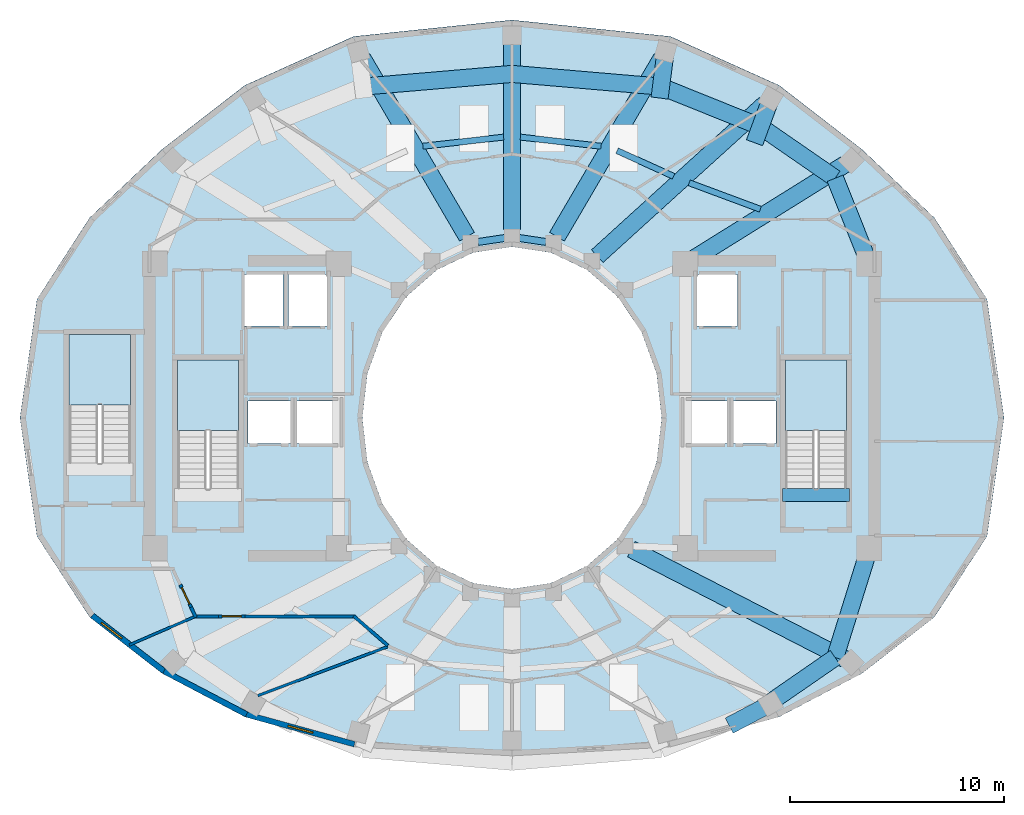
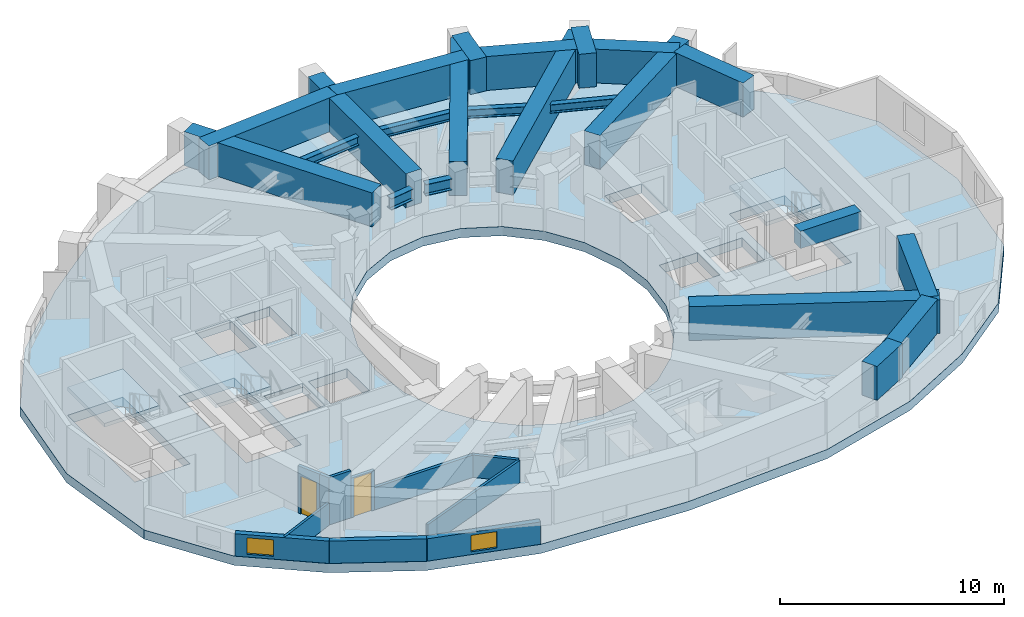
# One storey, part 2 of 9: 23 beams, 11 walls, 4 slabs, 2 doors, 2 windows, 4 openings, 3 elements without a shape of their own.
"""IFC4 building model written with IfcOpenShell, lengths in metres."""

from ifc_helpers import new_model, si_unit, direction, frame, frame_2d, origin, origin_2d, place, context, subcontext, project, spatial, polyline, rectangle, i_section, outline, extrude, material, layer, layer_set, material_profile, profile_set, type_object, element, fill, aggregate, save


model = new_model("IFC4")

# Units and contexts
model_context = context("Model", 3, precision=1e-05, world=origin(), true_north=direction((0.0, 1.0)))
body_context = subcontext(model_context, "Body", "Model", "MODEL_VIEW")
ifc_project = project(units=[si_unit("LENGTHUNIT", "METRE"), si_unit("AREAUNIT", "SQUARE_METRE"), si_unit("VOLUMEUNIT", "CUBIC_METRE"), si_unit("PLANEANGLEUNIT", "RADIAN"), si_unit("MASSUNIT", "GRAM", prefix="KILO")], contexts=[model_context])

# Site, building, storey
site_placement = place(None, origin())
site = spatial("IfcSite", under=ifc_project, at=site_placement, CompositionType="ELEMENT")
building_placement = place(site_placement, origin())
building = spatial("IfcBuilding", under=site, at=building_placement, Name="Solvane Sanctuary Tower", CompositionType="ELEMENT")
storey_placement = place(building_placement, frame((0.0, 0.0, 190.10009765625)))
storey = spatial("IfcBuildingStorey", under=building, at=storey_placement, Name="L58", CompositionType="ELEMENT", Elevation=190.10009765625)

# Beams
ifc_material_1 = material(Name="Concrete C70/85", Category="concrete")
ifc_material_profile_1 = material_profile(ifc_material_1, rectangle(XDim=0.60009765625, YDim=0.949951171875, at=origin_2d()), Name="RC600X950")
ifc_profile_set_1 = profile_set([ifc_material_profile_1], Name="Concrete C70/85")
beam_type_1 = type_object("IfcBeamType", Name="Beam B-COUPLE RC600X950", PredefinedType="LINTEL", material=ifc_profile_set_1)
beam_1_placement = place(storey_placement, frame((44.64990234375, 19.399169921875, 2.625), z_axis=(1.0, 0.0, 0.0), x_axis=(0.0, 1.0, 0.0)))
element("IfcBeam", 1, at=beam_1_placement, inside=storey, type_object=beam_type_1, Name="L58 ST-2 Stair Floor Landing Trimmer", PredefinedType="LINTEL", context=body_context, shape_type="SweptSolid", body=[
    extrude(rectangle(XDim=0.60009765625, YDim=0.949951171875, at=origin_2d()), origin(), (0.0, 0.0, 1.0), 3.1201171875),
])
ifc_material_2 = material(Name="Steel ASTM A992 Grade 50", Category="steel")
ifc_material_profile_2 = material_profile(ifc_material_2, i_section(OverallWidth=0.324951171875, OverallDepth=0.615966796875, WebThickness=0.013916015625, FlangeThickness=0.021484375, FilletRadius=0.01611328125, at=origin_2d()), Name="W24X117")
ifc_profile_set_2 = profile_set([ifc_material_profile_2], Name="Steel ASTM A992 Grade 50")
beam_type_2 = type_object("IfcBeamType", Name="Beam B-RING-IN2 W24X117", PredefinedType="BEAM", material=ifc_profile_set_2)
for number, where, z_axis, x_axis, name in (
    (2, (30.410400390625, 31.22265625, 2.289794921875), (0.989019905763, 0.147782360259, 0.0), (-0.147782360259, 0.989019905763, 0.0), "L58 Inner Light-Well Ring Beam IC05-IC04"),
    (3, (32.34130859375, 31.4091796875, 2.289794921875), (0.989019905763, -0.147782360259, 0.0), (0.147782360259, 0.989019905763, 0.0), "L58 Inner Light-Well Ring Beam IC04-IC03"),
):
    element("IfcBeam", number, at=place(storey_placement, frame(where, z_axis=z_axis, x_axis=x_axis)), inside=storey, type_object=beam_type_2, Name=name, PredefinedType="BEAM", context=body_context, shape_type="SweptSolid", body=[
        extrude(i_section(OverallWidth=0.324951171875, OverallDepth=0.615966796875, WebThickness=0.013916015625, FlangeThickness=0.021484375, FilletRadius=0.01611328125, at=origin_2d()), origin(), (0.0, 0.0, 1.0), 1.26220703125),
    ])
ifc_material_profile_3 = material_profile(ifc_material_2, i_section(OverallWidth=0.280029296875, OverallDepth=0.462890625, WebThickness=0.0107421875, FlangeThickness=0.017333984375, FilletRadius=0.013916015625, at=origin_2d()), Name="W18X76")
ifc_profile_set_3 = profile_set([ifc_material_profile_3], Name="Steel ASTM A992 Grade 50")
beam_type_3 = type_object("IfcBeamType", Name="Beam B-SEC-JOIST W18X76", PredefinedType="JOIST", material=ifc_profile_set_3)
for number, where, z_axis, x_axis, name in (
    (4, (27.837890625, 35.697509765625, 2.366455078125), (0.99361640759, 0.112811500162, 0.0), (-0.112811500162, 0.99361640759, 0.0), "L58 Secondary Circumferential Joist 05-04"),
    (5, (32.392578125, 36.12548828125, 2.366455078125), (0.99361640759, -0.112811500162, 0.0), (0.112811500162, 0.99361640759, 0.0), "L58 Secondary Circumferential Joist 04-03"),
):
    element("IfcBeam", number, at=place(storey_placement, frame(where, z_axis=z_axis, x_axis=x_axis)), inside=storey, type_object=beam_type_3, Name=name, PredefinedType="JOIST", context=body_context, shape_type="SweptSolid", body=[
        extrude(i_section(OverallWidth=0.280029296875, OverallDepth=0.462890625, WebThickness=0.0107421875, FlangeThickness=0.017333984375, FilletRadius=0.013916015625, at=origin_2d()), origin(), (0.0, 0.0, 1.0), 3.793701171875),
    ])
beam_2_placement = place(storey_placement, frame((36.9140625, 35.48974609375, 2.366455078125), z_axis=(0.910490411703, -0.413530180516, 0.0), x_axis=(0.413530180516, 0.910490411703, 0.0)))
element("IfcBeam", 6, at=beam_2_placement, inside=storey, type_object=beam_type_3, Name="L58 Secondary Circumferential Joist 03-02", PredefinedType="JOIST", context=body_context, shape_type="SweptSolid", body=[
    extrude(i_section(OverallWidth=0.280029296875, OverallDepth=0.462890625, WebThickness=0.0107421875, FlangeThickness=0.017333984375, FilletRadius=0.013916015625, at=origin_2d()), origin(), (0.0, 0.0, 1.0), 2.89990234375),
])
beam_3_placement = place(storey_placement, frame((40.2841796875, 33.989501953125, 2.366455078125), z_axis=(0.93726788939, -0.348609959006, 0.0), x_axis=(0.348609959006, 0.93726788939, 0.0)))
element("IfcBeam", 7, at=beam_3_placement, inside=storey, type_object=beam_type_3, Name="L58 Secondary Circumferential Joist 02-01", PredefinedType="JOIST", context=body_context, shape_type="SweptSolid", body=[
    extrude(i_section(OverallWidth=0.280029296875, OverallDepth=0.462890625, WebThickness=0.0107421875, FlangeThickness=0.017333984375, FilletRadius=0.013916015625, at=origin_2d()), origin(), (0.0, 0.0, 1.0), 3.54638671875),
])
ifc_material_profile_4 = material_profile(ifc_material_1, rectangle(XDim=0.800048828125, YDim=1.85009765625, at=origin_2d()), Name="RC800X1850")
ifc_profile_set_4 = profile_set([ifc_material_profile_4], Name="Concrete C70/85")
beam_type_4 = type_object("IfcBeamType", Name="Beam B-XFER-BLK RC800X1850", PredefinedType="BEAM", material=ifc_profile_set_4)
beam_4_placement = place(storey_placement, frame((40.405517578125, 30.390380859375, 2.1748046875), z_axis=(0.848822035813, 0.528678684569, 0.0), x_axis=(-0.528678684569, 0.848822035813, 0.0)))
element("IfcBeam", 8, at=beam_4_placement, inside=storey, type_object=beam_type_4, Name="L58 Block-Shift Radial Transfer Girder 01A", PredefinedType="BEAM", context=body_context, shape_type="SweptSolid", body=[
    extrude(rectangle(XDim=0.800048828125, YDim=1.85009765625, at=origin_2d()), origin(), (0.0, 0.0, 1.0), 8.447998046875),
])
beam_5_placement = place(storey_placement, frame((35.9853515625, 30.55859375, 2.1748046875), z_axis=(0.740204975918, 0.672381285898, 0.0), x_axis=(-0.672381285898, 0.740204975918, 0.0)))
element("IfcBeam", 9, at=beam_5_placement, inside=storey, type_object=beam_type_4, Name="L58 Block-Shift Radial Transfer Girder 02A", PredefinedType="BEAM", context=body_context, shape_type="SweptSolid", body=[
    extrude(rectangle(XDim=0.800048828125, YDim=1.85009765625, at=origin_2d()), origin(), (0.0, 0.0, 1.0), 10.590087890625),
])
beam_6_placement = place(storey_placement, frame((44.080810546875, 37.881103515625, 2.1748046875), z_axis=(-0.345779030894, -0.938315971192, 0.0), x_axis=(0.938315971192, -0.345779030894, 0.0)))
element("IfcBeam", 10, at=beam_6_placement, inside=storey, type_object=beam_type_4, Name="L58 Block-Shift Transfer Tie 02B", PredefinedType="BEAM", context=body_context, shape_type="SweptSolid", body=[
    extrude(rectangle(XDim=0.800048828125, YDim=1.85009765625, at=origin_2d()), origin(), (0.0, 0.0, 1.0), 2.14990234375),
])
beam_7_placement = place(storey_placement, frame((34.10498046875, 31.469482421875, 2.1748046875), z_axis=(0.50527045732, 0.862961044868, 0.0), x_axis=(-0.862961044868, 0.50527045732, 0.0)))
element("IfcBeam", 11, at=beam_7_placement, inside=storey, type_object=beam_type_4, Name="L58 Block-Shift Radial Transfer Girder 03A", PredefinedType="BEAM", context=body_context, shape_type="SweptSolid", body=[
    extrude(rectangle(XDim=0.800048828125, YDim=1.85009765625, at=origin_2d()), origin(), (0.0, 0.0, 1.0), 9.6708984375),
])
beam_8_placement = place(storey_placement, frame((39.172119140625, 40.0849609375, 2.1748046875), z_axis=(-0.12695519745, -0.991908452349, 0.0), x_axis=(0.991908452349, -0.12695519745, 0.0)))
element("IfcBeam", 12, at=beam_8_placement, inside=storey, type_object=beam_type_4, Name="L58 Block-Shift Transfer Tie 03B", PredefinedType="BEAM", context=body_context, shape_type="SweptSolid", body=[
    extrude(rectangle(XDim=0.800048828125, YDim=1.85009765625, at=origin_2d()), origin(), (0.0, 0.0, 1.0), 2.14990234375),
])
beam_9_placement = place(storey_placement, frame((32.0, 31.804931640625, 2.1748046875), z_axis=(0.0, 1.0, 0.0), x_axis=(-1.0, 0.0, 0.0)))
element("IfcBeam", 13, at=beam_9_placement, inside=storey, type_object=beam_type_4, Name="L58 Block-Shift Radial Transfer Girder 04A", PredefinedType="BEAM", context=body_context, shape_type="SweptSolid", body=[
    extrude(rectangle(XDim=0.800048828125, YDim=1.85009765625, at=origin_2d()), origin(), (0.0, 0.0, 1.0), 8.7451171875),
])
beam_10_placement = place(storey_placement, frame((29.89501953125, 31.469482421875, 2.1748046875), z_axis=(-0.50527045732, 0.862961044868, 0.0), x_axis=(-0.862961044868, -0.50527045732, 0.0)))
element("IfcBeam", 14, at=beam_10_placement, inside=storey, type_object=beam_type_4, Name="L58 Block-Shift Radial Transfer Girder 05A", PredefinedType="BEAM", context=body_context, shape_type="SweptSolid", body=[
    extrude(rectangle(XDim=0.800048828125, YDim=1.85009765625, at=origin_2d()), origin(), (0.0, 0.0, 1.0), 9.6708984375),
])
beam_11_placement = place(storey_placement, frame((44.053955078125, 9.6171875, 2.1748046875), z_axis=(-0.884044668488, -0.467402422029, 0.0), x_axis=(0.467402422029, -0.884044668488, 0.0)))
element("IfcBeam", 15, at=beam_11_placement, inside=storey, type_object=beam_type_4, Name="L58 Block-Shift Transfer Tie 13B", PredefinedType="BEAM", context=body_context, shape_type="SweptSolid", body=[
    extrude(rectangle(XDim=0.800048828125, YDim=1.85009765625, at=origin_2d()), origin(), (0.0, 0.0, 1.0), 2.14990234375),
])
beam_12_placement = place(storey_placement, frame((37.581787109375, 16.860107421875, 2.1748046875), z_axis=(0.889208681865, -0.457501825238, 0.0), x_axis=(0.457501825238, 0.889208681865, 0.0)))
element("IfcBeam", 16, at=beam_12_placement, inside=storey, type_object=beam_type_4, Name="L58 Block-Shift Radial Transfer Girder 14A", PredefinedType="BEAM", context=body_context, shape_type="SweptSolid", body=[
    extrude(rectangle(XDim=0.800048828125, YDim=1.85009765625, at=origin_2d()), origin(), (0.0, 0.0, 1.0), 11.22509765625),
])
for number, where, z_axis, x_axis, name in (
    (17, (25.03271484375, 38.4853515625, 2.1748046875), (0.996376634942, 0.085050581075, 0.0), (-0.085050581075, 0.996376634942, 0.0), "L58 Perimeter Step Transfer Ring NTC05-NTC04"),
    (18, (32.0, 39.080078125, 2.1748046875), (0.996376634942, -0.085050581075, 0.0), (0.085050581075, 0.996376634942, 0.0), "L58 Perimeter Step Transfer Ring NTC04-NTC03"),
):
    element("IfcBeam", number, at=place(storey_placement, frame(where, z_axis=z_axis, x_axis=x_axis)), inside=storey, type_object=beam_type_4, Name=name, PredefinedType="BEAM", context=body_context, shape_type="SweptSolid", body=[
        extrude(rectangle(XDim=0.800048828125, YDim=1.85009765625, at=origin_2d()), origin(), (0.0, 0.0, 1.0), 6.99267578125),
    ])
beam_13_placement = place(storey_placement, frame((38.96728515625, 38.4853515625, 2.1748046875), z_axis=(0.927677941797, -0.373381355055, 0.0), x_axis=(0.373381355055, 0.927677941797, 0.0)))
element("IfcBeam", 19, at=beam_13_placement, inside=storey, type_object=beam_type_4, Name="L58 Perimeter Step Transfer Ring NTC03-NTC02", PredefinedType="BEAM", context=body_context, shape_type="SweptSolid", body=[
    extrude(rectangle(XDim=0.800048828125, YDim=1.85009765625, at=origin_2d()), origin(), (0.0, 0.0, 1.0), 5.00927734375),
])
beam_14_placement = place(storey_placement, frame((43.6142578125, 36.614990234375, 2.1748046875), z_axis=(0.822701468639, -0.568473652423, 0.0), x_axis=(0.568473652423, 0.822701468639, 0.0)))
element("IfcBeam", 20, at=beam_14_placement, inside=storey, type_object=beam_type_4, Name="L58 Perimeter Step Transfer Ring NTC02-NTC01", PredefinedType="BEAM", context=body_context, shape_type="SweptSolid", body=[
    extrude(rectangle(XDim=0.800048828125, YDim=1.85009765625, at=origin_2d()), origin(), (0.0, 0.0, 1.0), 4.24267578125),
])
beam_15_placement = place(storey_placement, frame((47.104736328125, 34.203125, 2.1748046875), z_axis=(0.370175285005, -0.928961925146, 0.0), x_axis=(0.928961925146, 0.370175285005, 0.0)))
element("IfcBeam", 21, at=beam_15_placement, inside=storey, type_object=beam_type_4, Name="L58 Perimeter Step Transfer Ring NTC01-CE3", PredefinedType="BEAM", context=body_context, shape_type="SweptSolid", body=[
    extrude(rectangle(XDim=0.800048828125, YDim=1.85009765625, at=origin_2d()), origin(), (0.0, 0.0, 1.0), 3.94921875),
])
beam_16_placement = place(storey_placement, frame((43.6142578125, 9.385009765625, 2.1748046875), z_axis=(0.822701468639, 0.568473652423, 0.0), x_axis=(-0.568473652423, 0.822701468639, 0.0)))
element("IfcBeam", 22, at=beam_16_placement, inside=storey, type_object=beam_type_4, Name="L58 Perimeter Step Transfer Ring NTC13-NTC14", PredefinedType="BEAM", context=body_context, shape_type="SweptSolid", body=[
    extrude(rectangle(XDim=0.800048828125, YDim=1.85009765625, at=origin_2d()), origin(), (0.0, 0.0, 1.0), 4.24267578125),
])
beam_17_placement = place(storey_placement, frame((47.104736328125, 11.796875, 2.1748046875), z_axis=(0.298355835313, 0.954454711097, 0.0), x_axis=(-0.954454711097, 0.298355835313, 0.0)))
element("IfcBeam", 23, at=beam_17_placement, inside=storey, type_object=beam_type_4, Name="L58 Perimeter Step Transfer Ring NTC14-CE2", PredefinedType="BEAM", context=body_context, shape_type="SweptSolid", body=[
    extrude(rectangle(XDim=0.800048828125, YDim=1.85009765625, at=origin_2d()), origin(), (0.0, 0.0, 1.0), 4.986572265625),
])

# Stair, slab
ifc_material_3 = material(Name="Concrete C45/55", Category="concrete")
stair_type = type_object("IfcStairType", Name="Stair ST-TOW", PredefinedType="HALF_TURN_STAIR", material=ifc_material_3)
stair_1_placement = place(storey_placement, origin())
stair_1 = element("IfcStair", 24, at=stair_1_placement, inside=storey, type_object=stair_type, Name="L58 Exit Stair ST-1 West Core", PredefinedType="HALF_TURN_STAIR")
ifc_layer_1 = layer(ifc_material_3, 0.199951171875, Name="Concrete C45/55")
ifc_layer_set_1 = layer_set([ifc_layer_1], Name="Concrete C45/55")
slab_type_1 = type_object("IfcSlabType", Name="Slab SL-LAND-180", PredefinedType="LANDING", material=ifc_layer_set_1)
slab_1_placement = place(storey_placement, frame((0.0, 0.0, 1.349853515625)))
slab_1 = element("IfcSlab", 25, at=slab_1_placement, type_object=slab_type_1, Name="ST-1 landing 1", PredefinedType="LANDING", context=body_context, shape_type="SweptSolid", body=[
    extrude(outline(polyline([(19.219970703125, 22.39990234375), (19.219970703125, 25.699951171875), (16.360107421875, 25.699951171875), (16.360107421875, 22.39990234375), (19.219970703125, 22.39990234375)])), origin(), (0.0, 0.0, 1.0), 0.199951171875),
])
aggregate(stair_1, [slab_1])

stair_2_placement = place(storey_placement, origin())
stair_2 = element("IfcStair", 26, at=stair_2_placement, inside=storey, type_object=stair_type, Name="L58 Exit Stair ST-2 East Core", PredefinedType="HALF_TURN_STAIR")
slab_2_placement = place(storey_placement, frame((0.0, 0.0, 1.349853515625)))
slab_2 = element("IfcSlab", 27, at=slab_2_placement, type_object=slab_type_1, Name="ST-2 landing 1", PredefinedType="LANDING", context=body_context, shape_type="SweptSolid", body=[
    extrude(outline(polyline([(47.639892578125, 22.39990234375), (47.639892578125, 25.699951171875), (44.780029296875, 25.699951171875), (44.780029296875, 22.39990234375), (47.639892578125, 22.39990234375)])), origin(), (0.0, 0.0, 1.0), 0.199951171875),
])
aggregate(stair_2, [slab_2])

stair_3_placement = place(storey_placement, origin())
stair_3 = element("IfcStair", 28, at=stair_3_placement, inside=storey, type_object=stair_type, Name="L58 Exit Stair ST-3 Pilgrim Tower Stair", PredefinedType="HALF_TURN_STAIR")
slab_3_placement = place(storey_placement, frame((0.0, 0.0, 1.349853515625)))
slab_3 = element("IfcSlab", 29, at=slab_3_placement, type_object=slab_type_1, Name="ST-3 landing 1", PredefinedType="LANDING", context=body_context, shape_type="SweptSolid", body=[
    extrude(outline(polyline([(14.159912109375, 23.60009765625), (14.159912109375, 26.89990234375), (11.300048828125, 26.89990234375), (11.300048828125, 23.60009765625), (14.159912109375, 23.60009765625)])), origin(), (0.0, 0.0, 1.0), 0.199951171875),
])
aggregate(stair_3, [slab_3])

# Slab
ifc_material_4 = material(Name="Concrete C60/75", Category="concrete")
ifc_layer_2 = layer(ifc_material_4, 0.5, Name="Concrete C60/75")
ifc_layer_set_2 = layer_set([ifc_layer_2], Name="Concrete C60/75")
slab_type_2 = type_object("IfcSlabType", Name="Slab SL-XFER-500", PredefinedType="FLOOR", material=ifc_layer_set_2)
slab_4_placement = place(storey_placement, frame((0.0, 0.0, -0.5)))
element("IfcSlab", 30, at=slab_4_placement, inside=storey, type_object=slab_type_2, Name="L58 Primary Structural Slab", PredefinedType="FLOOR", context=body_context, shape_type="SweptSolid", body=[
    extrude(outline(polyline([(55.0, 23.0), (54.205322265625, 28.54150390625), (51.7392578125, 32.360107421875), (48.368896484375, 35.54345703125), (44.489013671875, 38.5458984375), (39.410400390625, 40.82958984375), (32.0, 41.60009765625), (24.589599609375, 40.82958984375), (19.510986328125, 38.5458984375), (15.631103515625, 35.54345703125), (12.2607421875, 32.360107421875), (9.794677734375, 28.54150390625), (9.0, 23.0), (9.794677734375, 17.45849609375), (12.2607421875, 13.6806640625), (15.631103515625, 11.061279296875), (19.510986328125, 9.022705078125), (24.589599609375, 7.6181640625), (32.0, 7.199951171875), (39.410400390625, 7.6181640625), (44.489013671875, 9.022705078125), (48.368896484375, 11.061279296875), (51.7392578125, 13.6806640625), (54.205322265625, 17.45849609375), (55.0, 23.0)]), holes=[polyline([(38.761474609375, 20.929443359375), (38.062255859375, 19.0), (36.94970703125, 17.343017578125), (35.5, 16.07177734375), (33.811767578125, 15.272705078125), (32.0, 15.0), (30.188232421875, 15.272705078125), (28.5, 16.07177734375), (27.05029296875, 17.343017578125), (25.937744140625, 19.0), (25.238525390625, 20.929443359375), (25.0, 23.0), (25.238525390625, 25.070556640625), (25.937744140625, 27.0), (27.05029296875, 28.656982421875), (28.5, 29.92822265625), (30.188232421875, 30.727294921875), (32.0, 31.0), (33.811767578125, 30.727294921875), (35.5, 29.92822265625), (36.94970703125, 28.656982421875), (38.062255859375, 27.0), (38.761474609375, 25.070556640625), (39.0, 23.0), (38.761474609375, 20.929443359375)]), polyline([(16.360107421875, 19.699951171875), (16.360107421875, 25.699951171875), (19.219970703125, 25.699951171875), (19.219970703125, 19.699951171875), (16.360107421875, 19.699951171875)]), polyline([(44.780029296875, 19.699951171875), (44.780029296875, 25.699951171875), (47.639892578125, 25.699951171875), (47.639892578125, 19.699951171875), (44.780029296875, 19.699951171875)]), polyline([(11.300048828125, 20.89990234375), (11.300048828125, 26.89990234375), (14.159912109375, 26.89990234375), (14.159912109375, 20.89990234375), (11.300048828125, 20.89990234375)]), polyline([(19.64990234375, 23.800048828125), (21.64990234375, 23.800048828125), (21.64990234375, 21.800048828125), (19.64990234375, 21.800048828125), (19.64990234375, 23.800048828125)]), polyline([(42.35009765625, 23.800048828125), (44.35009765625, 23.800048828125), (44.35009765625, 21.800048828125), (42.35009765625, 21.800048828125), (42.35009765625, 23.800048828125)]), polyline([(21.949951171875, 23.800048828125), (23.949951171875, 23.800048828125), (23.949951171875, 21.800048828125), (21.949951171875, 21.800048828125), (21.949951171875, 23.800048828125)]), polyline([(40.050048828125, 23.800048828125), (42.050048828125, 23.800048828125), (42.050048828125, 21.800048828125), (40.050048828125, 21.800048828125), (40.050048828125, 23.800048828125)]), polyline([(19.5, 29.699951171875), (21.300048828125, 29.699951171875), (21.300048828125, 27.300048828125), (19.5, 27.300048828125), (19.5, 29.699951171875)]), polyline([(21.550048828125, 29.699951171875), (23.35009765625, 29.699951171875), (23.35009765625, 27.300048828125), (21.550048828125, 27.300048828125), (21.550048828125, 29.699951171875)]), polyline([(40.64990234375, 29.699951171875), (42.550048828125, 29.699951171875), (42.550048828125, 27.300048828125), (40.64990234375, 27.300048828125), (40.64990234375, 29.699951171875)])]), origin(), (0.0, 0.0, 1.0), 0.5),
])

# Walls
ifc_material_5 = material(Name="Acoustic Gypsum Partition Board")
ifc_layer_3 = layer(ifc_material_5, 0.14990234375, Name="Acoustic Gypsum Partition Board")
ifc_layer_set_3 = layer_set([ifc_layer_3], Name="Acoustic Gypsum Partition Board")
wall_type_1 = type_object("IfcWallType", Name="Wall W-CORR-150", PredefinedType="PARTITIONING", material=ifc_layer_set_3)
wall_1_placement = place(storey_placement, frame((26.193359375, 12.35791015625, 0.0), z_axis=(0.0, 0.0, 1.0), x_axis=(-0.756055312247, 0.654507727092, 0.0)))
element("IfcWall", 31, at=wall_1_placement, inside=storey, type_object=wall_type_1, Name="L58 SW Corner Throat Wall", PredefinedType="PARTITIONING", context=body_context, shape_type="SweptSolid", body=[
    extrude(rectangle(XDim=2.11083984375, YDim=0.14990234375, at=frame_2d((1.055419921875, 0.0))), origin(), (0.0, 0.0, 1.0), 1.219970703125),
])
wall_2_placement = place(storey_placement, frame((17.14990234375, 13.719970703125, 0.0), z_axis=(0.0, 0.0, 1.0), x_axis=(1.0, 0.0, 0.0)))
element("IfcWall", 32, at=wall_2_placement, inside=storey, type_object=wall_type_1, Name="L58 SW Corner Corridor Wall", PredefinedType="PARTITIONING", context=body_context, shape_type="SweptSolid", body=[
    extrude(rectangle(XDim=1.14013671875, YDim=0.14990234375, at=frame_2d((0.570068359375, 0.0))), origin(), (0.0, 0.0, 1.0), 2.574951171875),
])

# Wall, opening, door
wall_3_placement = place(storey_placement, frame((18.2900390625, 13.719970703125, 0.0), z_axis=(0.0, 0.0, 1.0), x_axis=(1.0, 0.0, 0.0)))
wall_3 = element("IfcWall", 33, at=wall_3_placement, inside=storey, type_object=wall_type_1, Name="L58 SW Corner Corridor Wall", PredefinedType="PARTITIONING", context=body_context, shape_type="SweptSolid", body=[
    extrude(rectangle(XDim=1.219970703125, YDim=0.14990234375, at=frame_2d((0.60986328125, 0.0))), origin(), (0.0, 0.0, 1.0), 2.159912109375),
])
opening_1_placement = place(wall_3_placement, frame((0.159912109375, 0.0, 0.0)))
opening_1 = element("IfcOpeningElement", 34, at=opening_1_placement, cuts=wall_3, Name="Opening D-L58-19", PredefinedType="OPENING", context=body_context, shape_type="SweptSolid", body=[
    extrude(rectangle(XDim=0.89990234375, YDim=2.10009765625, at=frame_2d((0.449951171875, 1.050048828125))), frame((0.0, 0.0849609375, 0.0), z_axis=(0.0, -1.0, 0.0), x_axis=(1.0, 0.0, 0.0)), (0.0, 0.0, 1.0), 0.169921875),
])
ifc_material_6 = material(Name="Engineered Tropical Hardwood", Category="wood")
door_type_1 = type_object("IfcDoorType", Name="Door D-WET-900", OperationType="NOTDEFINED", PredefinedType="DOOR", material=ifc_material_6)
door_1_placement = place(opening_1_placement, origin())
door_1 = element("IfcDoor", 35, at=door_1_placement, inside=storey, type_object=door_type_1, Name="L58 SW Corner Salon Door", OperationType="SINGLE_SWING_RIGHT", OverallHeight=2.10009765625, OverallWidth=0.89990234375, PredefinedType="DOOR", context=body_context, shape_type="SweptSolid", body=[
    extrude(rectangle(XDim=0.89990234375, YDim=2.10009765625, at=frame_2d((0.449951171875, 1.050048828125))), frame((0.0, 0.02490234375, 0.0), z_axis=(0.0, -1.0, 0.0), x_axis=(1.0, 0.0, 0.0)), (0.0, 0.0, 1.0), 0.050048828125),
])
fill(opening_1, door_1)

# Walls
wall_4_placement = place(storey_placement, frame((19.510009765625, 13.719970703125, 0.0), z_axis=(0.0, 0.0, 1.0), x_axis=(1.0, 0.0, 0.0)))
element("IfcWall", 36, at=wall_4_placement, inside=storey, type_object=wall_type_1, Name="L58 SW Corner Corridor Wall", PredefinedType="PARTITIONING", context=body_context, shape_type="SweptSolid", body=[
    extrude(rectangle(XDim=5.159912109375, YDim=0.14990234375, at=frame_2d((2.580078125, 0.0))), origin(), (0.0, 0.0, 1.0), 1.219970703125),
])
wall_5_placement = place(storey_placement, frame((17.2216796875, 13.6748046875, 0.0), z_axis=(0.0, 0.0, 1.0), x_axis=(-0.431782981727, 0.901977525602, 0.0)))
element("IfcWall", 37, at=wall_5_placement, inside=storey, type_object=wall_type_1, Name="L58 SW Corner Wing Wall", PredefinedType="PARTITIONING", context=body_context, shape_type="SweptSolid", body=[
    extrude(rectangle(XDim=0.527587890625, YDim=0.14990234375, at=frame_2d((0.263671875, 0.0))), origin(), (0.0, 0.0, 1.0), 2.574951171875),
])

# Wall, opening, door
wall_6_placement = place(storey_placement, frame((16.993896484375, 14.150634765625, 0.0), z_axis=(0.0, 0.0, 1.0), x_axis=(-0.431957534962, 0.901893944979, 0.0)))
wall_6 = element("IfcWall", 38, at=wall_6_placement, inside=storey, type_object=wall_type_1, Name="L58 SW Corner Wing Wall", PredefinedType="PARTITIONING", context=body_context, shape_type="SweptSolid", body=[
    extrude(rectangle(XDim=1.169921875, YDim=0.14990234375, at=frame_2d((0.5849609375, 0.0))), origin(), (0.0, 0.0, 1.0), 2.574951171875),
])
opening_2_placement = place(wall_6_placement, frame((0.159912109375, 0.0, 0.0)))
opening_2 = element("IfcOpeningElement", 39, at=opening_2_placement, cuts=wall_6, Name="Opening D-L58-20", PredefinedType="OPENING", context=body_context, shape_type="SweptSolid", body=[
    extrude(rectangle(XDim=0.85009765625, YDim=2.050048828125, at=frame_2d((0.425048828125, 1.02490234375))), frame((0.0, 0.0849609375, 0.0), z_axis=(0.0, -1.0, 0.0), x_axis=(1.0, 0.0, 0.0)), (0.0, 0.0, 1.0), 0.169921875),
])
ifc_material_7 = material(Name="Architectural Stainless Steel 316", Category="steel")
door_type_2 = type_object("IfcDoorType", Name="Door D-RISER", OperationType="NOTDEFINED", PredefinedType="DOOR", material=ifc_material_7)
door_2_placement = place(opening_2_placement, origin())
door_2 = element("IfcDoor", 40, at=door_2_placement, inside=storey, type_object=door_type_2, Name="L58 SW Corner Suite Door", OperationType="SINGLE_SWING_LEFT", OverallHeight=2.050048828125, OverallWidth=0.85009765625, PredefinedType="DOOR", context=body_context, shape_type="SweptSolid", body=[
    extrude(rectangle(XDim=0.85009765625, YDim=2.050048828125, at=frame_2d((0.425048828125, 1.02490234375))), frame((0.0, 0.02490234375, 0.0), z_axis=(0.0, -1.0, 0.0), x_axis=(1.0, 0.0, 0.0)), (0.0, 0.0, 1.0), 0.050048828125),
])
fill(opening_2, door_2)

# Wall, opening, window
ifc_material_8 = material(Name="Precast concrete C40/50", Category="concrete")
ifc_layer_4 = layer(ifc_material_8, 0.260009765625, Name="Precast concrete C40/50")
ifc_layer_set_4 = layer_set([ifc_layer_4], Name="Precast concrete C40/50")
wall_type_2 = type_object("IfcWallType", Name="Wall W-EXT-250", PredefinedType="STANDARD", material=ifc_layer_set_4)
wall_7_placement = place(storey_placement, frame((12.380859375, 13.756591796875, 0.0), z_axis=(0.0, 0.0, 1.0), x_axis=(0.790185650662, -0.612867552973, 0.0)))
wall_7 = element("IfcWall", 41, at=wall_7_placement, inside=storey, type_object=wall_type_2, Name="L58 Ceramic-Printed Facade Wall 14", PredefinedType="STANDARD", context=body_context, shape_type="SweptSolid", body=[
    extrude(rectangle(XDim=4.2392578125, YDim=0.260009765625, at=frame_2d((2.11962890625, 0.0))), origin(), (0.0, 0.0, 1.0), 1.219970703125),
])
opening_3_placement = place(wall_7_placement, frame((0.535888671875, 0.0, 0.14990234375)))
opening_3 = element("IfcOpeningElement", 42, at=opening_3_placement, cuts=wall_7, Name="Opening WN-OPER-1200", PredefinedType="OPENING", context=body_context, shape_type="SweptSolid", body=[
    extrude(rectangle(XDim=1.199951171875, YDim=0.89990234375, at=frame_2d((0.60009765625, 0.449951171875))), frame((0.0, 0.139892578125, 0.0), z_axis=(0.0, -1.0, 0.0), x_axis=(1.0, 0.0, 0.0)), (0.0, 0.0, 1.0), 0.280029296875),
])
ifc_material_9 = material(Name="Dark Ceramic-Fritted Low-E Glass", Category="glass")
window_type = type_object("IfcWindowType", Name="Window WN-OPER-1200", PartitioningType="SINGLE_PANEL", PredefinedType="WINDOW", material=ifc_material_9)
window_1_placement = place(opening_3_placement, origin())
window_1 = element("IfcWindow", 43, at=window_1_placement, inside=storey, type_object=window_type, Name="L58 Operable Facade Window 14", OverallHeight=0.89990234375, OverallWidth=1.199951171875, PartitioningType="SINGLE_PANEL", PredefinedType="WINDOW", context=body_context, shape_type="SweptSolid", body=[
    extrude(rectangle(XDim=1.199951171875, YDim=0.89990234375, at=frame_2d((0.60009765625, 0.449951171875))), frame((0.0, 0.030029296875, 0.0), z_axis=(0.0, -1.0, 0.0), x_axis=(1.0, 0.0, 0.0)), (0.0, 0.0, 1.0), 0.06005859375),
])
fill(opening_3, window_1)

# Wall
wall_8_placement = place(storey_placement, frame((15.730712890625, 11.158447265625, 0.0), z_axis=(0.0, 0.0, 1.0), x_axis=(0.885660265226, -0.464333818065, 0.0)))
element("IfcWall", 44, at=wall_8_placement, inside=storey, type_object=wall_type_2, Name="L58 Ceramic-Printed Facade Wall 15", PredefinedType="STANDARD", context=body_context, shape_type="SweptSolid", body=[
    extrude(rectangle(XDim=4.35400390625, YDim=0.260009765625, at=frame_2d((2.177001953125, 0.0))), origin(), (0.0, 0.0, 1.0), 1.219970703125),
])

# Wall, opening, window
wall_9_placement = place(storey_placement, frame((19.5869140625, 9.13671875, 0.0), z_axis=(0.0, 0.0, 1.0), x_axis=(0.963953455704, -0.26607092144, 0.0)))
wall_9 = element("IfcWall", 45, at=wall_9_placement, inside=storey, type_object=wall_type_2, Name="L58 Ceramic-Printed Facade Wall 16", PredefinedType="STANDARD", context=body_context, shape_type="SweptSolid", body=[
    extrude(rectangle(XDim=5.236572265625, YDim=0.260009765625, at=frame_2d((2.6181640625, 0.0))), origin(), (0.0, 0.0, 1.0), 1.219970703125),
])
opening_4_placement = place(wall_9_placement, frame((2.018310546875, 0.0, 0.14990234375)))
opening_4 = element("IfcOpeningElement", 46, at=opening_4_placement, cuts=wall_9, Name="Opening WN-OPER-1200", PredefinedType="OPENING", context=body_context, shape_type="SweptSolid", body=[
    extrude(rectangle(XDim=1.199951171875, YDim=0.89990234375, at=frame_2d((0.60009765625, 0.449951171875))), frame((0.0, 0.139892578125, 0.0), z_axis=(0.0, -1.0, 0.0), x_axis=(1.0, 0.0, 0.0)), (0.0, 0.0, 1.0), 0.280029296875),
])
window_2_placement = place(opening_4_placement, origin())
window_2 = element("IfcWindow", 47, at=window_2_placement, inside=storey, type_object=window_type, Name="L58 Operable Facade Window 16", OverallHeight=0.89990234375, OverallWidth=1.199951171875, PartitioningType="SINGLE_PANEL", PredefinedType="WINDOW", context=body_context, shape_type="SweptSolid", body=[
    extrude(rectangle(XDim=1.199951171875, YDim=0.89990234375, at=frame_2d((0.60009765625, 0.449951171875))), frame((0.0, 0.030029296875, 0.0), z_axis=(0.0, -1.0, 0.0), x_axis=(1.0, 0.0, 0.0)), (0.0, 0.0, 1.0), 0.06005859375),
])
fill(opening_4, window_2)

# Walls
ifc_layer_5 = layer(ifc_material_5, 0.1201171875, Name="Acoustic Gypsum Partition Board")
ifc_layer_set_5 = layer_set([ifc_layer_5], Name="Acoustic Gypsum Partition Board")
wall_type_3 = type_object("IfcWallType", Name="Wall W-MOV-100", PredefinedType="MOVABLE", material=ifc_layer_set_5)
wall_10_placement = place(storey_placement, frame((17.245849609375, 13.739990234375, 0.0), z_axis=(0.0, 0.0, 1.0), x_axis=(-0.917766865873, -0.397119604031, 0.0)))
element("IfcWall", 48, at=wall_10_placement, inside=storey, type_object=wall_type_3, Name="L58 SW Corner Suite Partition", PredefinedType="MOVABLE", context=body_context, shape_type="SweptSolid", body=[
    extrude(rectangle(XDim=3.413330078125, YDim=0.1201171875, at=frame_2d((1.70654296875, 0.0))), origin(), (0.0, 0.0, 1.0), 1.219970703125),
])
ifc_layer_6 = layer(ifc_material_5, 0.125, Name="Acoustic Gypsum Partition Board")
ifc_layer_set_6 = layer_set([ifc_layer_6], Name="Acoustic Gypsum Partition Board")
wall_type_4 = type_object("IfcWallType", Name="Wall W-PART-125", PredefinedType="PARTITIONING", material=ifc_layer_set_6)
wall_11_placement = place(storey_placement, frame((26.18359375, 12.302490234375, 0.0), z_axis=(0.0, 0.0, 1.0), x_axis=(-0.935601484289, -0.353057874288, 0.0)))
element("IfcWall", 49, at=wall_11_placement, inside=storey, type_object=wall_type_4, Name="L58 Radial Compartment Wall 240", PredefinedType="PARTITIONING", context=body_context, shape_type="SweptSolid", body=[
    extrude(rectangle(XDim=6.484130859375, YDim=0.125, at=frame_2d((3.2421875, 0.0))), origin(), (0.0, 0.0, 1.0), 1.219970703125),
])

save(model, "model.ifc")
